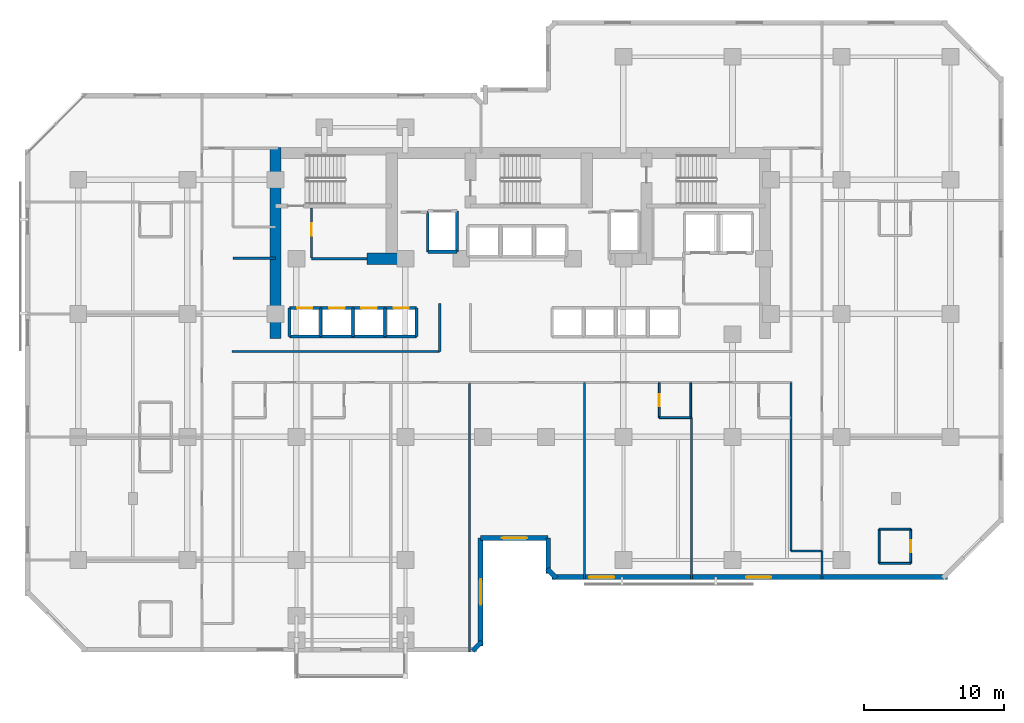
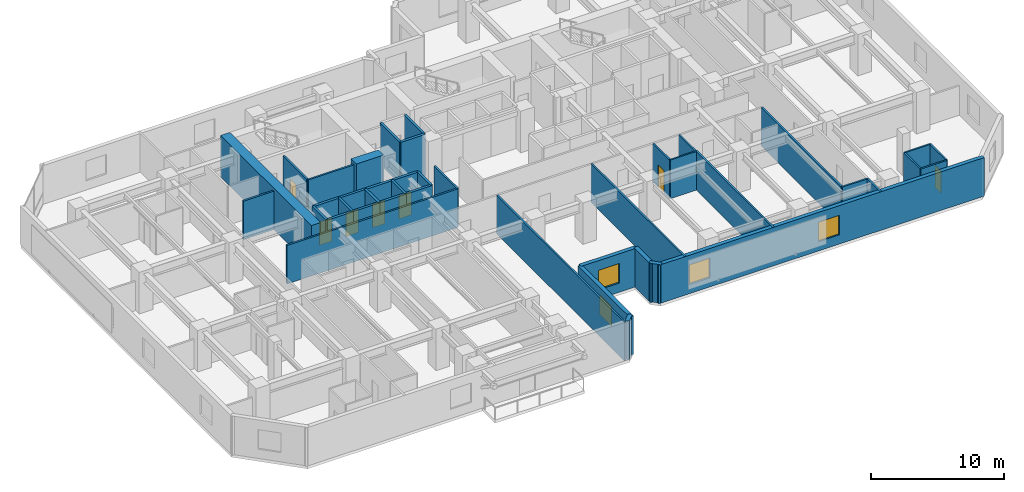
# One storey, part 7 of 12: 42 walls, 7 doors, 4 windows, 11 openings.
"""IFC4 building model written with IfcOpenShell, lengths in metres."""

from ifc_helpers import new_model, si_unit, direction, frame, frame_2d, origin, place, context, subcontext, project, spatial, rectangle, extrude, material, layer, layer_set, type_object, element, fill, save


model = new_model("IFC4")

# Units and contexts
model_context = context("Model", 3, precision=1e-05, world=origin(), true_north=direction((0.0, 1.0)))
body_context = subcontext(model_context, "Body", "Model", "MODEL_VIEW")
ifc_project = project(units=[si_unit("LENGTHUNIT", "METRE"), si_unit("AREAUNIT", "SQUARE_METRE"), si_unit("VOLUMEUNIT", "CUBIC_METRE"), si_unit("PLANEANGLEUNIT", "RADIAN"), si_unit("MASSUNIT", "GRAM", prefix="KILO")], contexts=[model_context])

# Site, building, storey
site_placement = place(None, origin())
site = spatial("IfcSite", under=ifc_project, at=site_placement, CompositionType="ELEMENT")
building_placement = place(site_placement, origin())
building = spatial("IfcBuilding", under=site, at=building_placement, Name="Kestravale Grand Hotel", CompositionType="ELEMENT")
storey_placement = place(building_placement, frame((0.0, 0.0, 95.60009765625)))
storey = spatial("IfcBuildingStorey", under=building, at=storey_placement, Name="L23", CompositionType="ELEMENT", Elevation=95.60009765625)

# Walls
ifc_material_1 = material(Name="Concrete f'c 60 MPa", Category="concrete")
ifc_layer_1 = layer(ifc_material_1, 0.800048828125)
ifc_layer_set_1 = layer_set([ifc_layer_1], Name="EW-CORE-800")
wall_type_1 = type_object("IfcWallType", Name="EW-CORE-800", PredefinedType="SHEAR", material=ifc_layer_set_1)
wall_1_placement = place(storey_placement, frame((21.89990234375, 27.050048828125, 0.0), z_axis=(0.0, 0.0, 1.0), x_axis=(0.0, 1.0, 0.0)))
element("IfcWall", 1, at=wall_1_placement, inside=storey, type_object=wall_type_1, Name="L23 core shear wall W1", PredefinedType="SHEAR", context=body_context, shape_type="SweptSolid", body=[
    extrude(rectangle(XDim=13.669921875, YDim=0.800048828125, at=frame_2d((6.8349609375, 0.0))), origin(), (0.0, 0.0, 1.0), 3.7998046875),
])
wall_2_placement = place(storey_placement, frame((28.449951171875, 32.75, 0.0), z_axis=(0.0, 0.0, 1.0), x_axis=(1.0, 0.0, 0.0)))
element("IfcWall", 2, at=wall_2_placement, inside=storey, type_object=wall_type_1, Name="L23 core shear wall S1", PredefinedType="SHEAR", context=body_context, shape_type="SweptSolid", body=[
    extrude(rectangle(XDim=2.400146484375, YDim=0.800048828125, at=frame_2d((1.2001953125, 0.0))), origin(), (0.0, 0.0, 1.0), 3.7998046875),
])
ifc_material_2 = material(Name="Precast concrete f'c 45 MPa", Category="concrete")
ifc_layer_2 = layer(ifc_material_2, 0.340087890625)
ifc_layer_set_2 = layer_set([ifc_layer_2], Name="EW-PREC-340")
wall_type_2 = type_object("IfcWallType", Name="EW-PREC-340", PredefinedType="SOLIDWALL", material=ifc_layer_set_2)
wall_3_placement = place(storey_placement, frame((36.00146484375, 4.69189453125, 0.0), z_axis=(0.0, 0.0, 1.0), x_axis=(0.707238225886, 0.706975312048, 0.0)))
element("IfcWall", 3, at=wall_3_placement, inside=storey, type_object=wall_type_2, Name="L23 fluted precast facade wall 2", PredefinedType="SOLIDWALL", context=body_context, shape_type="SweptSolid", body=[
    extrude(rectangle(XDim=0.9287109375, YDim=0.340087890625, at=frame_2d((0.46435546875, 0.0))), origin(), (0.0, 0.0, 1.0), 3.539794921875),
])

# Wall, opening, window
wall_4_placement = place(storey_placement, frame((36.580078125, 5.030029296875, 0.0), z_axis=(0.0, 0.0, 1.0), x_axis=(0.0, 1.0, 0.0)))
wall_4 = element("IfcWall", 4, at=wall_4_placement, inside=storey, type_object=wall_type_2, Name="L23 fluted precast facade wall 3", PredefinedType="SOLIDWALL", context=body_context, shape_type="SweptSolid", body=[
    extrude(rectangle(XDim=7.739990234375, YDim=0.340087890625, at=frame_2d((3.8701171875, 0.0))), origin(), (0.0, 0.0, 1.0), 3.539794921875),
])
opening_1_placement = place(wall_4_placement, frame((2.969970703125, 0.0, 0.85009765625)))
opening_1 = element("IfcOpeningElement", 5, at=opening_1_placement, cuts=wall_4, Name="Opening W-GUEST-1800", PredefinedType="OPENING", context=body_context, shape_type="SweptSolid", body=[
    extrude(rectangle(XDim=1.800048828125, YDim=1.800048828125, at=frame_2d((0.89990234375, 0.89990234375))), frame((0.0, 0.179931640625, 0.0), z_axis=(0.0, -1.0, 0.0), x_axis=(1.0, 0.0, 0.0)), (0.0, 0.0, 1.0), 0.360107421875),
])
ifc_material_3 = material(Name="Insulated low-E double glazing in aluminium frame", Category="aluminium")
window_type = type_object("IfcWindowType", Name="W-GUEST-1800", PartitioningType="DOUBLE_PANEL_VERTICAL", PredefinedType="WINDOW", material=ifc_material_3)
window_1_placement = place(opening_1_placement, origin())
window_1 = element("IfcWindow", 6, at=window_1_placement, inside=storey, type_object=window_type, Name="L23 exterior window 3.1", OverallHeight=1.800048828125, OverallWidth=1.800048828125, PartitioningType="SINGLE_PANEL", PredefinedType="WINDOW", context=body_context, shape_type="SweptSolid", body=[
    extrude(rectangle(XDim=1.800048828125, YDim=1.800048828125, at=frame_2d((0.89990234375, 0.89990234375))), frame((0.0, 0.030029296875, 0.0), z_axis=(0.0, -1.0, 0.0), x_axis=(1.0, 0.0, 0.0)), (0.0, 0.0, 1.0), 0.06005859375),
])
fill(opening_1, window_1)

wall_5_placement = place(storey_placement, frame((36.580078125, 12.77001953125, 0.0), z_axis=(0.0, 0.0, 1.0), x_axis=(1.0, 0.0, 0.0)))
wall_5 = element("IfcWall", 7, at=wall_5_placement, inside=storey, type_object=wall_type_2, Name="L23 fluted precast facade wall 4", PredefinedType="SOLIDWALL", context=body_context, shape_type="SweptSolid", body=[
    extrude(rectangle(XDim=4.83984375, YDim=0.340087890625, at=frame_2d((2.419921875, 0.0))), origin(), (0.0, 0.0, 1.0), 3.539794921875),
])
opening_2_placement = place(wall_5_placement, frame((1.52001953125, 0.0, 0.85009765625)))
opening_2 = element("IfcOpeningElement", 8, at=opening_2_placement, cuts=wall_5, Name="Opening W-GUEST-1800", PredefinedType="OPENING", context=body_context, shape_type="SweptSolid", body=[
    extrude(rectangle(XDim=1.800048828125, YDim=1.800048828125, at=frame_2d((0.89990234375, 0.89990234375))), frame((0.0, 0.179931640625, 0.0), z_axis=(0.0, -1.0, 0.0), x_axis=(1.0, 0.0, 0.0)), (0.0, 0.0, 1.0), 0.360107421875),
])
window_2_placement = place(opening_2_placement, origin())
window_2 = element("IfcWindow", 9, at=window_2_placement, inside=storey, type_object=window_type, Name="L23 exterior window 4.1", OverallHeight=1.800048828125, OverallWidth=1.800048828125, PartitioningType="SINGLE_PANEL", PredefinedType="WINDOW", context=body_context, shape_type="SweptSolid", body=[
    extrude(rectangle(XDim=1.800048828125, YDim=1.800048828125, at=frame_2d((0.89990234375, 0.89990234375))), frame((0.0, 0.030029296875, 0.0), z_axis=(0.0, -1.0, 0.0), x_axis=(1.0, 0.0, 0.0)), (0.0, 0.0, 1.0), 0.06005859375),
])
fill(opening_2, window_2)

# Walls
wall_6_placement = place(storey_placement, frame((41.419921875, 12.77001953125, 0.0), z_axis=(0.0, 0.0, 1.0), x_axis=(0.0, -1.0, 0.0)))
element("IfcWall", 10, at=wall_6_placement, inside=storey, type_object=wall_type_2, Name="L23 fluted precast facade wall 5", PredefinedType="SOLIDWALL", context=body_context, shape_type="SweptSolid", body=[
    extrude(rectangle(XDim=2.5400390625, YDim=0.340087890625, at=frame_2d((1.27001953125, 0.0))), origin(), (0.0, 0.0, 1.0), 3.539794921875),
])
wall_7_placement = place(storey_placement, frame((41.341796875, 10.548583984375, 0.0), z_axis=(0.0, 0.0, 1.0), x_axis=(0.707106781187, -0.707106781187, 0.0)))
element("IfcWall", 11, at=wall_7_placement, inside=storey, type_object=wall_type_2, Name="L23 fluted precast facade wall 6", PredefinedType="SOLIDWALL", context=body_context, shape_type="SweptSolid", body=[
    extrude(rectangle(XDim=0.9287109375, YDim=0.340087890625, at=frame_2d((0.46435546875, 0.0))), origin(), (0.0, 0.0, 1.0), 3.539794921875),
])

# Wall, openings, windows
wall_8_placement = place(storey_placement, frame((41.679931640625, 9.969970703125, 0.0), z_axis=(0.0, 0.0, 1.0), x_axis=(1.0, 0.0, 0.0)))
wall_8 = element("IfcWall", 12, at=wall_8_placement, inside=storey, type_object=wall_type_2, Name="L23 fluted precast facade wall 7", PredefinedType="SOLIDWALL", context=body_context, shape_type="SweptSolid", body=[
    extrude(rectangle(XDim=28.2900390625, YDim=0.340087890625, at=frame_2d((14.14501953125, 0.0))), origin(), (0.0, 0.0, 1.0), 3.539794921875),
])
opening_3_placement = place(wall_8_placement, frame((2.6650390625, 0.0, 0.85009765625)))
opening_3 = element("IfcOpeningElement", 13, at=opening_3_placement, cuts=wall_8, Name="Opening W-GUEST-1800", PredefinedType="OPENING", context=body_context, shape_type="SweptSolid", body=[
    extrude(rectangle(XDim=1.800048828125, YDim=1.800048828125, at=frame_2d((0.89990234375, 0.89990234375))), frame((0.0, 0.179931640625, 0.0), z_axis=(0.0, -1.0, 0.0), x_axis=(1.0, 0.0, 0.0)), (0.0, 0.0, 1.0), 0.360107421875),
])
opening_4_placement = place(wall_8_placement, frame((13.89501953125, 0.0, 0.85009765625)))
opening_4 = element("IfcOpeningElement", 14, at=opening_4_placement, cuts=wall_8, Name="Opening W-GUEST-1800", PredefinedType="OPENING", context=body_context, shape_type="SweptSolid", body=[
    extrude(rectangle(XDim=1.800048828125, YDim=1.800048828125, at=frame_2d((0.89990234375, 0.89990234375))), frame((0.0, 0.179931640625, 0.0), z_axis=(0.0, -1.0, 0.0), x_axis=(1.0, 0.0, 0.0)), (0.0, 0.0, 1.0), 0.360107421875),
])
window_3_placement = place(opening_3_placement, origin())
window_3 = element("IfcWindow", 15, at=window_3_placement, inside=storey, type_object=window_type, Name="L23 exterior window 7.1", OverallHeight=1.800048828125, OverallWidth=1.800048828125, PartitioningType="SINGLE_PANEL", PredefinedType="WINDOW", context=body_context, shape_type="SweptSolid", body=[
    extrude(rectangle(XDim=1.800048828125, YDim=1.800048828125, at=frame_2d((0.89990234375, 0.89990234375))), frame((0.0, 0.030029296875, 0.0), z_axis=(0.0, -1.0, 0.0), x_axis=(1.0, 0.0, 0.0)), (0.0, 0.0, 1.0), 0.06005859375),
])
fill(opening_3, window_3)
window_4_placement = place(opening_4_placement, origin())
window_4 = element("IfcWindow", 16, at=window_4_placement, inside=storey, type_object=window_type, Name="L23 exterior window 7.2", OverallHeight=1.800048828125, OverallWidth=1.800048828125, PartitioningType="SINGLE_PANEL", PredefinedType="WINDOW", context=body_context, shape_type="SweptSolid", body=[
    extrude(rectangle(XDim=1.800048828125, YDim=1.800048828125, at=frame_2d((0.89990234375, 0.89990234375))), frame((0.0, 0.030029296875, 0.0), z_axis=(0.0, -1.0, 0.0), x_axis=(1.0, 0.0, 0.0)), (0.0, 0.0, 1.0), 0.06005859375),
])
fill(opening_4, window_4)

# Wall, opening, door
ifc_material_4 = material(Name="Acoustic fire-rated gypsum board partition", Category="other")
ifc_layer_3 = layer(ifc_material_4, 0.159912109375)
ifc_layer_set_3 = layer_set([ifc_layer_3], Name="IW-CORR-160")
wall_type_3 = type_object("IfcWallType", Name="IW-CORR-160", PredefinedType="PARTITIONING", material=ifc_layer_set_3)
wall_9_placement = place(storey_placement, frame((24.47998046875, 32.800048828125, 0.0), z_axis=(0.0, 0.0, 1.0), x_axis=(0.0, 1.0, 0.0)))
wall_9 = element("IfcWall", 17, at=wall_9_placement, inside=storey, type_object=wall_type_3, Name="L23 west core vestibule wall", PredefinedType="PARTITIONING", context=body_context, shape_type="SweptSolid", body=[
    extrude(rectangle(XDim=3.570068359375, YDim=0.159912109375, at=frame_2d((1.78515625, 0.0))), origin(), (0.0, 0.0, 1.0), 3.539794921875),
])
opening_5_placement = place(wall_9_placement, frame((1.603515625, 0.0, 0.0)))
opening_5 = element("IfcOpeningElement", 18, at=opening_5_placement, cuts=wall_9, Name="Opening D-SH-900", PredefinedType="OPENING", context=body_context, shape_type="SweptSolid", body=[
    extrude(rectangle(XDim=0.89990234375, YDim=2.10009765625, at=frame_2d((0.449951171875, 1.050048828125))), frame((0.0, 0.08984375, 0.0), z_axis=(0.0, -1.0, 0.0), x_axis=(1.0, 0.0, 0.0)), (0.0, 0.0, 1.0), 0.179931640625),
])
ifc_material_5 = material(Name="Galvanised 90-minute shaft and service fire door", Category="steel")
door_type_1 = type_object("IfcDoorType", Name="D-SH-900", OperationType="NOTDEFINED", PredefinedType="DOOR", material=ifc_material_5)
door_1_placement = place(opening_5_placement, origin())
door_1 = element("IfcDoor", 19, at=door_1_placement, inside=storey, type_object=door_type_1, Name="D-L23-HK", OperationType="SINGLE_SWING_RIGHT", OverallHeight=2.10009765625, OverallWidth=0.89990234375, PredefinedType="DOOR", context=body_context, shape_type="SweptSolid", body=[
    extrude(rectangle(XDim=0.89990234375, YDim=2.10009765625, at=frame_2d((0.449951171875, 1.050048828125))), frame((0.0, 0.02490234375, 0.0), z_axis=(0.0, -1.0, 0.0), x_axis=(1.0, 0.0, 0.0)), (0.0, 0.0, 1.0), 0.050048828125),
])
fill(opening_5, door_1)

# Walls
wall_10_placement = place(storey_placement, frame((24.47998046875, 32.75, 0.0), z_axis=(0.0, 0.0, 1.0), x_axis=(1.0, 0.0, 0.0)))
element("IfcWall", 20, at=wall_10_placement, inside=storey, type_object=wall_type_3, Name="W-L23-CWS", PredefinedType="PARTITIONING", context=body_context, shape_type="SweptSolid", body=[
    extrude(rectangle(XDim=3.969970703125, YDim=0.159912109375, at=frame_2d((1.98486328125, 0.0))), origin(), (0.0, 0.0, 1.0), 3.539794921875),
])
wall_11_placement = place(storey_placement, frame((18.800048828125, 26.110107421875, 0.0), z_axis=(0.0, 0.0, 1.0), x_axis=(1.0, 0.0, 0.0)))
element("IfcWall", 21, at=wall_11_placement, inside=storey, type_object=wall_type_3, Name="W-L23-CW-N", PredefinedType="PARTITIONING", context=body_context, shape_type="SweptSolid", body=[
    extrude(rectangle(XDim=14.849853515625, YDim=0.159912109375, at=frame_2d((7.4248046875, 0.0))), origin(), (0.0, 0.0, 1.0), 3.539794921875),
])
wall_12_placement = place(storey_placement, frame((33.64990234375, 26.110107421875, 0.0), z_axis=(0.0, 0.0, 1.0), x_axis=(0.0, 1.0, 0.0)))
element("IfcWall", 22, at=wall_12_placement, inside=storey, type_object=wall_type_3, Name="W-L23-TRUNK-W", PredefinedType="PARTITIONING", context=body_context, shape_type="SweptSolid", body=[
    extrude(rectangle(XDim=3.43994140625, YDim=0.159912109375, at=frame_2d((1.719970703125, 0.0))), origin(), (0.0, 0.0, 1.0), 3.539794921875),
])
wall_13_placement = place(storey_placement, frame((18.860107421875, 32.780029296875, 0.0), z_axis=(0.0, 0.0, 1.0), x_axis=(1.0, 0.0, 0.0)))
element("IfcWall", 23, at=wall_13_placement, inside=storey, type_object=wall_type_3, Name="W-L23-SW-CS", PredefinedType="PARTITIONING", context=body_context, shape_type="SweptSolid", body=[
    extrude(rectangle(XDim=3.039794921875, YDim=0.159912109375, at=frame_2d((1.52001953125, 0.0))), origin(), (0.0, 0.0, 1.0), 3.539794921875),
])
wall_14_placement = place(storey_placement, frame((58.7900390625, 11.85009765625, 0.0), z_axis=(0.0, 0.0, 1.0), x_axis=(0.0, 1.0, 0.0)))
element("IfcWall", 24, at=wall_14_placement, inside=storey, type_object=wall_type_3, Name="W-L23-SE-W", PredefinedType="PARTITIONING", context=body_context, shape_type="SweptSolid", body=[
    extrude(rectangle(XDim=12.039794921875, YDim=0.159912109375, at=frame_2d((6.02001953125, 0.0))), origin(), (0.0, 0.0, 1.0), 3.539794921875),
])

# Wall, opening, door
ifc_material_6 = material(Name="Moisture-resistant tile-backer plumbing chase wall", Category="other")
ifc_layer_4 = layer(ifc_material_6, 0.139892578125)
ifc_layer_set_4 = layer_set([ifc_layer_4], Name="IW-PLB-140")
wall_type_4 = type_object("IfcWallType", Name="IW-PLB-140", PredefinedType="PLUMBINGWALL", material=ifc_layer_set_4)
wall_15_placement = place(storey_placement, frame((49.36669921875, 21.3798828125, 0.0), z_axis=(0.0, 0.0, 1.0), x_axis=(0.0, 1.0, 0.0)))
wall_15 = element("IfcWall", 25, at=wall_15_placement, inside=storey, type_object=wall_type_4, Name="W-L23-U03-BW", PredefinedType="PLUMBINGWALL", context=body_context, shape_type="SweptSolid", body=[
    extrude(rectangle(XDim=2.490234375, YDim=0.139892578125, at=frame_2d((1.2451171875, 0.0))), origin(), (0.0, 0.0, 1.0), 3.539794921875),
])
opening_6_placement = place(wall_15_placement, frame((0.804931640625, 0.0, 0.0)))
opening_6 = element("IfcOpeningElement", 26, at=opening_6_placement, cuts=wall_15, Name="Opening D-BATH-880", PredefinedType="OPENING", context=body_context, shape_type="SweptSolid", body=[
    extrude(rectangle(XDim=0.8798828125, YDim=2.050048828125, at=frame_2d((0.43994140625, 1.02490234375))), frame((0.0, 0.079833984375, 0.0), z_axis=(0.0, -1.0, 0.0), x_axis=(1.0, 0.0, 0.0)), (0.0, 0.0, 1.0), 0.159912109375),
])
ifc_material_7 = material(Name="Moisture-sealed walnut en-suite bathroom door", Category="wood")
door_type_2 = type_object("IfcDoorType", Name="D-BATH-880", OperationType="NOTDEFINED", PredefinedType="DOOR", material=ifc_material_7)
door_2_placement = place(opening_6_placement, origin())
door_2 = element("IfcDoor", 27, at=door_2_placement, inside=storey, type_object=door_type_2, Name="D-L23-U03-BATH", OperationType="SINGLE_SWING_RIGHT", OverallHeight=2.050048828125, OverallWidth=0.8798828125, PredefinedType="DOOR", context=body_context, shape_type="SweptSolid", body=[
    extrude(rectangle(XDim=0.8798828125, YDim=2.050048828125, at=frame_2d((0.43994140625, 1.02490234375))), frame((0.0, 0.02490234375, 0.0), z_axis=(0.0, -1.0, 0.0), x_axis=(1.0, 0.0, 0.0)), (0.0, 0.0, 1.0), 0.050048828125),
])
fill(opening_6, door_2)

# Walls
wall_16_placement = place(storey_placement, frame((51.61669921875, 21.3798828125, 0.0), z_axis=(0.0, 0.0, 1.0), x_axis=(0.0, 1.0, 0.0)))
element("IfcWall", 28, at=wall_16_placement, inside=storey, type_object=wall_type_4, Name="W-L23-U03-BE", PredefinedType="PLUMBINGWALL", context=body_context, shape_type="SweptSolid", body=[
    extrude(rectangle(XDim=2.490234375, YDim=0.139892578125, at=frame_2d((1.2451171875, 0.0))), origin(), (0.0, 0.0, 1.0), 3.539794921875),
])
wall_17_placement = place(storey_placement, frame((49.36669921875, 21.3798828125, 0.0), z_axis=(0.0, 0.0, 1.0), x_axis=(1.0, 0.0, 0.0)))
element("IfcWall", 29, at=wall_17_placement, inside=storey, type_object=wall_type_4, Name="W-L23-U03-BS", PredefinedType="PLUMBINGWALL", context=body_context, shape_type="SweptSolid", body=[
    extrude(rectangle(XDim=2.25, YDim=0.139892578125, at=frame_2d((1.125, 0.0))), origin(), (0.0, 0.0, 1.0), 3.539794921875),
])
wall_18_placement = place(storey_placement, frame((65.10009765625, 10.949951171875, 0.0), z_axis=(0.0, 0.0, 1.0), x_axis=(0.0, 1.0, 0.0)))
element("IfcWall", 30, at=wall_18_placement, inside=storey, type_object=wall_type_4, Name="W-L23-U09-BW", PredefinedType="PLUMBINGWALL", context=body_context, shape_type="SweptSolid", body=[
    extrude(rectangle(XDim=2.449951171875, YDim=0.139892578125, at=frame_2d((1.22509765625, 0.0))), origin(), (0.0, 0.0, 1.0), 3.539794921875),
])

# Wall, opening, door
wall_19_placement = place(storey_placement, frame((67.35009765625, 10.949951171875, 0.0), z_axis=(0.0, 0.0, 1.0), x_axis=(0.0, 1.0, 0.0)))
wall_19 = element("IfcWall", 31, at=wall_19_placement, inside=storey, type_object=wall_type_4, Name="W-L23-U09-BE", PredefinedType="PLUMBINGWALL", context=body_context, shape_type="SweptSolid", body=[
    extrude(rectangle(XDim=2.449951171875, YDim=0.139892578125, at=frame_2d((1.22509765625, 0.0))), origin(), (0.0, 0.0, 1.0), 3.539794921875),
])
opening_7_placement = place(wall_19_placement, frame((0.784912109375, 0.0, 0.0)))
opening_7 = element("IfcOpeningElement", 32, at=opening_7_placement, cuts=wall_19, Name="Opening D-BATH-880", PredefinedType="OPENING", context=body_context, shape_type="SweptSolid", body=[
    extrude(rectangle(XDim=0.8798828125, YDim=2.050048828125, at=frame_2d((0.43994140625, 1.02490234375))), frame((0.0, 0.079833984375, 0.0), z_axis=(0.0, -1.0, 0.0), x_axis=(1.0, 0.0, 0.0)), (0.0, 0.0, 1.0), 0.159912109375),
])
door_3_placement = place(opening_7_placement, origin())
door_3 = element("IfcDoor", 33, at=door_3_placement, inside=storey, type_object=door_type_2, Name="D-L23-U09-BATH", OperationType="SINGLE_SWING_LEFT", OverallHeight=2.050048828125, OverallWidth=0.8798828125, PredefinedType="DOOR", context=body_context, shape_type="SweptSolid", body=[
    extrude(rectangle(XDim=0.8798828125, YDim=2.050048828125, at=frame_2d((0.43994140625, 1.02490234375))), frame((0.0, 0.02490234375, 0.0), z_axis=(0.0, -1.0, 0.0), x_axis=(1.0, 0.0, 0.0)), (0.0, 0.0, 1.0), 0.050048828125),
])
fill(opening_7, door_3)

# Walls
for number, where, z_axis, x_axis, name in (
    (34, (65.10009765625, 10.949951171875, 0.0), (0.0, 0.0, 1.0), (1.0, 0.0, 0.0), "W-L23-U09-BS"),
    (35, (65.10009765625, 13.39990234375, 0.0), (0.0, 0.0, 1.0), (1.0, 0.0, 0.0), "W-L23-U09-BN"),
):
    element("IfcWall", number, at=place(storey_placement, frame(where, z_axis=z_axis, x_axis=x_axis)), inside=storey, type_object=wall_type_4, Name=name, PredefinedType="PLUMBINGWALL", context=body_context, shape_type="SweptSolid", body=[
        extrude(rectangle(XDim=2.25, YDim=0.139892578125, at=frame_2d((1.125, 0.0))), origin(), (0.0, 0.0, 1.0), 3.539794921875),
    ])
ifc_material_8 = material(Name="Concrete f'c 45 MPa", Category="concrete")
ifc_layer_5 = layer(ifc_material_8, 0.199951171875)
ifc_layer_set_5 = layer_set([ifc_layer_5], Name="IW-SHAFT-200")
wall_type_5 = type_object("IfcWallType", Name="IW-SHAFT-200", PredefinedType="SHEAR", material=ifc_layer_set_5)
for number, where, z_axis, x_axis, name in (
    (36, (22.905029296875, 27.169921875, 0.0), (0.0, 0.0, 1.0), (0.0, 1.0, 0.0), "L23 PL-L1 west shaft wall"),
    (37, (25.14990234375, 27.169921875, 0.0), (0.0, 0.0, 1.0), (0.0, 1.0, 0.0), "L23 PL-L2 west shaft wall"),
    (38, (27.449951171875, 27.169921875, 0.0), (0.0, 0.0, 1.0), (0.0, 1.0, 0.0), "L23 PL-L3 west shaft wall"),
    (39, (29.75, 27.169921875, 0.0), (0.0, 0.0, 1.0), (0.0, 1.0, 0.0), "L23 PL-L4 west shaft wall"),
    (40, (31.9951171875, 27.169921875, 0.0), (0.0, 0.0, 1.0), (0.0, 1.0, 0.0), "L23 PL-L4 east shaft wall"),
):
    element("IfcWall", number, at=place(storey_placement, frame(where, z_axis=z_axis, x_axis=x_axis)), inside=storey, type_object=wall_type_5, Name=name, PredefinedType="SHEAR", context=body_context, shape_type="SweptSolid", body=[
        extrude(rectangle(XDim=2.06005859375, YDim=0.199951171875, at=frame_2d((1.030029296875, 0.0))), origin(), (0.0, 0.0, 1.0), 3.7998046875),
    ])
for number, where, z_axis, x_axis, name in (
    (41, (32.804931640625, 33.2451171875, 0.0), (0.0, 0.0, 1.0), (0.0, 1.0, 0.0), "L23 FL-1 west shaft wall"),
    (42, (34.89501953125, 33.2451171875, 0.0), (0.0, 0.0, 1.0), (0.0, 1.0, 0.0), "L23 FL-1 east shaft wall"),
):
    element("IfcWall", number, at=place(storey_placement, frame(where, z_axis=z_axis, x_axis=x_axis)), inside=storey, type_object=wall_type_5, Name=name, PredefinedType="SHEAR", context=body_context, shape_type="SweptSolid", body=[
        extrude(rectangle(XDim=2.909912109375, YDim=0.199951171875, at=frame_2d((1.455078125, 0.0))), origin(), (0.0, 0.0, 1.0), 3.7998046875),
    ])

# Wall, opening, door
ifc_material_9 = material(Name="Concrete f'c 45 MPa", Category="concrete")
ifc_layer_6 = layer(ifc_material_9, 0.219970703125)
ifc_layer_set_6 = layer_set([ifc_layer_6], Name="IW-SHAFT-220")
wall_type_6 = type_object("IfcWallType", Name="IW-SHAFT-220", PredefinedType="SHEAR", material=ifc_layer_set_6)
wall_20_placement = place(storey_placement, frame((22.905029296875, 29.22998046875, 0.0), z_axis=(0.0, 0.0, 1.0), x_axis=(1.0, 0.0, 0.0)))
wall_20 = element("IfcWall", 43, at=wall_20_placement, inside=storey, type_object=wall_type_6, Name="L23 PL-L1 north shaft wall", PredefinedType="SHEAR", context=body_context, shape_type="SweptSolid", body=[
    extrude(rectangle(XDim=2.244873046875, YDim=0.219970703125, at=frame_2d((1.12255859375, 0.0))), origin(), (0.0, 0.0, 1.0), 3.7998046875),
])
opening_8_placement = place(wall_20_placement, frame((0.544921875, 0.0, 0.0)))
opening_8 = element("IfcOpeningElement", 44, at=opening_8_placement, cuts=wall_20, Name="Opening LD-PAX-1100", PredefinedType="OPENING", context=body_context, shape_type="SweptSolid", body=[
    extrude(rectangle(XDim=1.10009765625, YDim=2.14990234375, at=frame_2d((0.550048828125, 1.074951171875))), frame((0.0, 0.119873046875, 0.0), z_axis=(0.0, -1.0, 0.0), x_axis=(1.0, 0.0, 0.0)), (0.0, 0.0, 1.0), 0.239990234375),
])
ifc_material_10 = material(Name="Champagne-bronze center-opening sliding elevator landing door", Category="steel")
door_type_3 = type_object("IfcDoorType", Name="LD-PAX-1100", OperationType="NOTDEFINED", PredefinedType="DOOR", material=ifc_material_10)
door_4_placement = place(opening_8_placement, origin())
door_4 = element("IfcDoor", 45, at=door_4_placement, inside=storey, type_object=door_type_3, Name="L23 PL-L1 elevator landing sliding door", OperationType="DOUBLE_DOOR_SLIDING", OverallHeight=2.14990234375, OverallWidth=1.10009765625, PredefinedType="DOOR", context=body_context, shape_type="SweptSolid", body=[
    extrude(rectangle(XDim=1.10009765625, YDim=2.14990234375, at=frame_2d((0.550048828125, 1.074951171875))), frame((0.0, 0.02490234375, 0.0), z_axis=(0.0, -1.0, 0.0), x_axis=(1.0, 0.0, 0.0)), (0.0, 0.0, 1.0), 0.050048828125),
])
fill(opening_8, door_4)

# Wall
wall_21_placement = place(storey_placement, frame((22.905029296875, 27.169921875, 0.0), z_axis=(0.0, 0.0, 1.0), x_axis=(1.0, 0.0, 0.0)))
element("IfcWall", 46, at=wall_21_placement, inside=storey, type_object=wall_type_6, Name="L23 PL-L1 south shaft wall", PredefinedType="SHEAR", context=body_context, shape_type="SweptSolid", body=[
    extrude(rectangle(XDim=2.244873046875, YDim=0.219970703125, at=frame_2d((1.12255859375, 0.0))), origin(), (0.0, 0.0, 1.0), 3.7998046875),
])

# Wall, opening, door
wall_22_placement = place(storey_placement, frame((25.14990234375, 29.22998046875, 0.0), z_axis=(0.0, 0.0, 1.0), x_axis=(1.0, 0.0, 0.0)))
wall_22 = element("IfcWall", 47, at=wall_22_placement, inside=storey, type_object=wall_type_6, Name="L23 PL-L2 north shaft wall", PredefinedType="SHEAR", context=body_context, shape_type="SweptSolid", body=[
    extrude(rectangle(XDim=2.300048828125, YDim=0.219970703125, at=frame_2d((1.14990234375, 0.0))), origin(), (0.0, 0.0, 1.0), 3.7998046875),
])
opening_9_placement = place(wall_22_placement, frame((0.60009765625, 0.0, 0.0)))
opening_9 = element("IfcOpeningElement", 48, at=opening_9_placement, cuts=wall_22, Name="Opening LD-PAX-1100", PredefinedType="OPENING", context=body_context, shape_type="SweptSolid", body=[
    extrude(rectangle(XDim=1.10009765625, YDim=2.14990234375, at=frame_2d((0.550048828125, 1.074951171875))), frame((0.0, 0.119873046875, 0.0), z_axis=(0.0, -1.0, 0.0), x_axis=(1.0, 0.0, 0.0)), (0.0, 0.0, 1.0), 0.239990234375),
])
door_5_placement = place(opening_9_placement, origin())
door_5 = element("IfcDoor", 49, at=door_5_placement, inside=storey, type_object=door_type_3, Name="L23 PL-L2 elevator landing sliding door", OperationType="DOUBLE_DOOR_SLIDING", OverallHeight=2.14990234375, OverallWidth=1.10009765625, PredefinedType="DOOR", context=body_context, shape_type="SweptSolid", body=[
    extrude(rectangle(XDim=1.10009765625, YDim=2.14990234375, at=frame_2d((0.550048828125, 1.074951171875))), frame((0.0, 0.02490234375, 0.0), z_axis=(0.0, -1.0, 0.0), x_axis=(1.0, 0.0, 0.0)), (0.0, 0.0, 1.0), 0.050048828125),
])
fill(opening_9, door_5)

# Wall
wall_23_placement = place(storey_placement, frame((25.14990234375, 27.169921875, 0.0), z_axis=(0.0, 0.0, 1.0), x_axis=(1.0, 0.0, 0.0)))
element("IfcWall", 50, at=wall_23_placement, inside=storey, type_object=wall_type_6, Name="L23 PL-L2 south shaft wall", PredefinedType="SHEAR", context=body_context, shape_type="SweptSolid", body=[
    extrude(rectangle(XDim=2.300048828125, YDim=0.219970703125, at=frame_2d((1.14990234375, 0.0))), origin(), (0.0, 0.0, 1.0), 3.7998046875),
])

# Wall, opening, door
wall_24_placement = place(storey_placement, frame((27.449951171875, 29.22998046875, 0.0), z_axis=(0.0, 0.0, 1.0), x_axis=(1.0, 0.0, 0.0)))
wall_24 = element("IfcWall", 51, at=wall_24_placement, inside=storey, type_object=wall_type_6, Name="L23 PL-L3 north shaft wall", PredefinedType="SHEAR", context=body_context, shape_type="SweptSolid", body=[
    extrude(rectangle(XDim=2.300048828125, YDim=0.219970703125, at=frame_2d((1.14990234375, 0.0))), origin(), (0.0, 0.0, 1.0), 3.7998046875),
])
opening_10_placement = place(wall_24_placement, frame((0.60009765625, 0.0, 0.0)))
opening_10 = element("IfcOpeningElement", 52, at=opening_10_placement, cuts=wall_24, Name="Opening LD-PAX-1100", PredefinedType="OPENING", context=body_context, shape_type="SweptSolid", body=[
    extrude(rectangle(XDim=1.10009765625, YDim=2.14990234375, at=frame_2d((0.550048828125, 1.074951171875))), frame((0.0, 0.119873046875, 0.0), z_axis=(0.0, -1.0, 0.0), x_axis=(1.0, 0.0, 0.0)), (0.0, 0.0, 1.0), 0.239990234375),
])
door_6_placement = place(opening_10_placement, origin())
door_6 = element("IfcDoor", 53, at=door_6_placement, inside=storey, type_object=door_type_3, Name="L23 PL-L3 elevator landing sliding door", OperationType="DOUBLE_DOOR_SLIDING", OverallHeight=2.14990234375, OverallWidth=1.10009765625, PredefinedType="DOOR", context=body_context, shape_type="SweptSolid", body=[
    extrude(rectangle(XDim=1.10009765625, YDim=2.14990234375, at=frame_2d((0.550048828125, 1.074951171875))), frame((0.0, 0.02490234375, 0.0), z_axis=(0.0, -1.0, 0.0), x_axis=(1.0, 0.0, 0.0)), (0.0, 0.0, 1.0), 0.050048828125),
])
fill(opening_10, door_6)

# Wall
wall_25_placement = place(storey_placement, frame((27.449951171875, 27.169921875, 0.0), z_axis=(0.0, 0.0, 1.0), x_axis=(1.0, 0.0, 0.0)))
element("IfcWall", 54, at=wall_25_placement, inside=storey, type_object=wall_type_6, Name="L23 PL-L3 south shaft wall", PredefinedType="SHEAR", context=body_context, shape_type="SweptSolid", body=[
    extrude(rectangle(XDim=2.300048828125, YDim=0.219970703125, at=frame_2d((1.14990234375, 0.0))), origin(), (0.0, 0.0, 1.0), 3.7998046875),
])

# Wall, opening, door
wall_26_placement = place(storey_placement, frame((29.75, 29.22998046875, 0.0), z_axis=(0.0, 0.0, 1.0), x_axis=(1.0, 0.0, 0.0)))
wall_26 = element("IfcWall", 55, at=wall_26_placement, inside=storey, type_object=wall_type_6, Name="L23 PL-L4 north shaft wall", PredefinedType="SHEAR", context=body_context, shape_type="SweptSolid", body=[
    extrude(rectangle(XDim=2.2451171875, YDim=0.219970703125, at=frame_2d((1.12255859375, 0.0))), origin(), (0.0, 0.0, 1.0), 3.7998046875),
])
opening_11_placement = place(wall_26_placement, frame((0.60009765625, 0.0, 0.0)))
opening_11 = element("IfcOpeningElement", 56, at=opening_11_placement, cuts=wall_26, Name="Opening LD-PAX-1100", PredefinedType="OPENING", context=body_context, shape_type="SweptSolid", body=[
    extrude(rectangle(XDim=1.10009765625, YDim=2.14990234375, at=frame_2d((0.550048828125, 1.074951171875))), frame((0.0, 0.119873046875, 0.0), z_axis=(0.0, -1.0, 0.0), x_axis=(1.0, 0.0, 0.0)), (0.0, 0.0, 1.0), 0.239990234375),
])
door_7_placement = place(opening_11_placement, origin())
door_7 = element("IfcDoor", 57, at=door_7_placement, inside=storey, type_object=door_type_3, Name="L23 PL-L4 elevator landing sliding door", OperationType="DOUBLE_DOOR_SLIDING", OverallHeight=2.14990234375, OverallWidth=1.10009765625, PredefinedType="DOOR", context=body_context, shape_type="SweptSolid", body=[
    extrude(rectangle(XDim=1.10009765625, YDim=2.14990234375, at=frame_2d((0.550048828125, 1.074951171875))), frame((0.0, 0.02490234375, 0.0), z_axis=(0.0, -1.0, 0.0), x_axis=(1.0, 0.0, 0.0)), (0.0, 0.0, 1.0), 0.050048828125),
])
fill(opening_11, door_7)

# Walls
wall_27_placement = place(storey_placement, frame((29.75, 27.169921875, 0.0), z_axis=(0.0, 0.0, 1.0), x_axis=(1.0, 0.0, 0.0)))
element("IfcWall", 58, at=wall_27_placement, inside=storey, type_object=wall_type_6, Name="L23 PL-L4 south shaft wall", PredefinedType="SHEAR", context=body_context, shape_type="SweptSolid", body=[
    extrude(rectangle(XDim=2.2451171875, YDim=0.219970703125, at=frame_2d((1.12255859375, 0.0))), origin(), (0.0, 0.0, 1.0), 3.7998046875),
])
wall_28_placement = place(storey_placement, frame((32.804931640625, 33.2451171875, 0.0), z_axis=(0.0, 0.0, 1.0), x_axis=(1.0, 0.0, 0.0)))
element("IfcWall", 59, at=wall_28_placement, inside=storey, type_object=wall_type_6, Name="L23 FL-1 south shaft wall", PredefinedType="SHEAR", context=body_context, shape_type="SweptSolid", body=[
    extrude(rectangle(XDim=2.090087890625, YDim=0.219970703125, at=frame_2d((1.044921875, 0.0))), origin(), (0.0, 0.0, 1.0), 3.7998046875),
])
ifc_material_11 = material(Name="Double-stud STC 52 acoustic demising partition", Category="other")
ifc_layer_7 = layer(ifc_material_11, 0.14990234375)
ifc_layer_set_7 = layer_set([ifc_layer_7], Name="IW-UNIT-150")
wall_type_7 = type_object("IfcWallType", Name="IW-UNIT-150", PredefinedType="PARTITIONING", material=ifc_layer_set_7)
wall_29_placement = place(storey_placement, frame((58.7900390625, 11.85009765625, 0.0), z_axis=(0.0, 0.0, 1.0), x_axis=(1.0, 0.0, 0.0)))
element("IfcWall", 60, at=wall_29_placement, inside=storey, type_object=wall_type_7, Name="W-L23-SE-S", PredefinedType="PARTITIONING", context=body_context, shape_type="SweptSolid", body=[
    extrude(rectangle(XDim=2.219970703125, YDim=0.14990234375, at=frame_2d((1.10986328125, 0.0))), origin(), (0.0, 0.0, 1.0), 3.539794921875),
])
wall_30_placement = place(storey_placement, frame((35.800048828125, 4.6201171875, 0.0), z_axis=(0.0, 0.0, 1.0), x_axis=(0.0, 1.0, 0.0)))
element("IfcWall", 61, at=wall_30_placement, inside=storey, type_object=wall_type_7, Name="W-L23-MID-S", PredefinedType="PARTITIONING", context=body_context, shape_type="SweptSolid", body=[
    extrude(rectangle(XDim=19.25, YDim=0.14990234375, at=frame_2d((9.625, 0.0))), origin(), (0.0, 0.0, 1.0), 3.539794921875),
])
wall_31_placement = place(storey_placement, frame((44.01318359375, 9.820068359375, 0.0), z_axis=(0.0, 0.0, 1.0), x_axis=(0.0, 1.0, 0.0)))
element("IfcWall", 62, at=wall_31_placement, inside=storey, type_object=wall_type_7, Name="W-L23-ES-1", PredefinedType="PARTITIONING", context=body_context, shape_type="SweptSolid", body=[
    extrude(rectangle(XDim=14.06982421875, YDim=0.14990234375, at=frame_2d((7.034912109375, 0.0))), origin(), (0.0, 0.0, 1.0), 3.539794921875),
])
wall_32_placement = place(storey_placement, frame((51.6767578125, 9.820068359375, 0.0), z_axis=(0.0, 0.0, 1.0), x_axis=(0.0, 1.0, 0.0)))
element("IfcWall", 63, at=wall_32_placement, inside=storey, type_object=wall_type_7, Name="W-L23-ES-2", PredefinedType="PARTITIONING", context=body_context, shape_type="SweptSolid", body=[
    extrude(rectangle(XDim=11.559814453125, YDim=0.14990234375, at=frame_2d((5.77978515625, 0.0))), origin(), (0.0, 0.0, 1.0), 3.539794921875),
])
wall_33_placement = place(storey_placement, frame((61.010009765625, 9.820068359375, 0.0), z_axis=(0.0, 0.0, 1.0), x_axis=(0.0, 1.0, 0.0)))
element("IfcWall", 64, at=wall_33_placement, inside=storey, type_object=wall_type_7, Name="W-L23-SE-EXT", PredefinedType="PARTITIONING", context=body_context, shape_type="SweptSolid", body=[
    extrude(rectangle(XDim=2.030029296875, YDim=0.14990234375, at=frame_2d((1.01513671875, 0.0))), origin(), (0.0, 0.0, 1.0), 3.539794921875),
])

save(model, "model.ifc")
